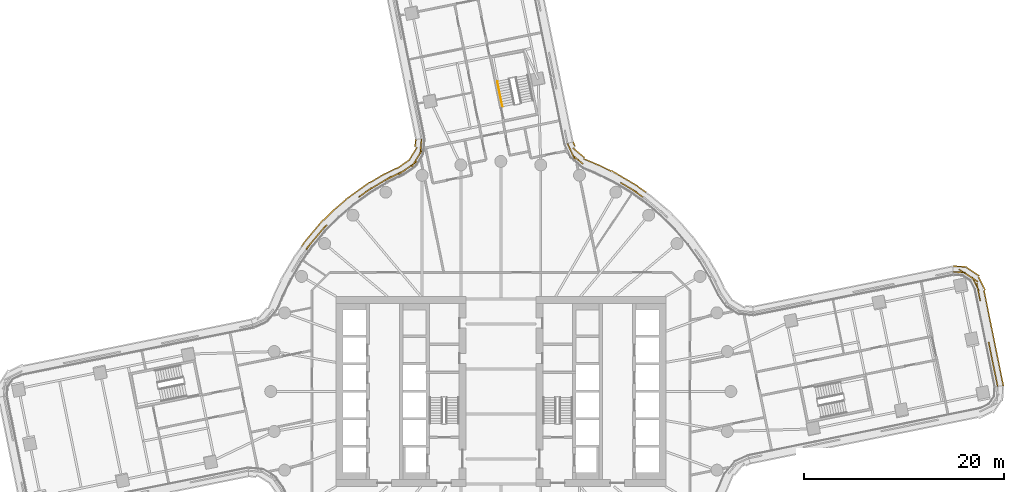
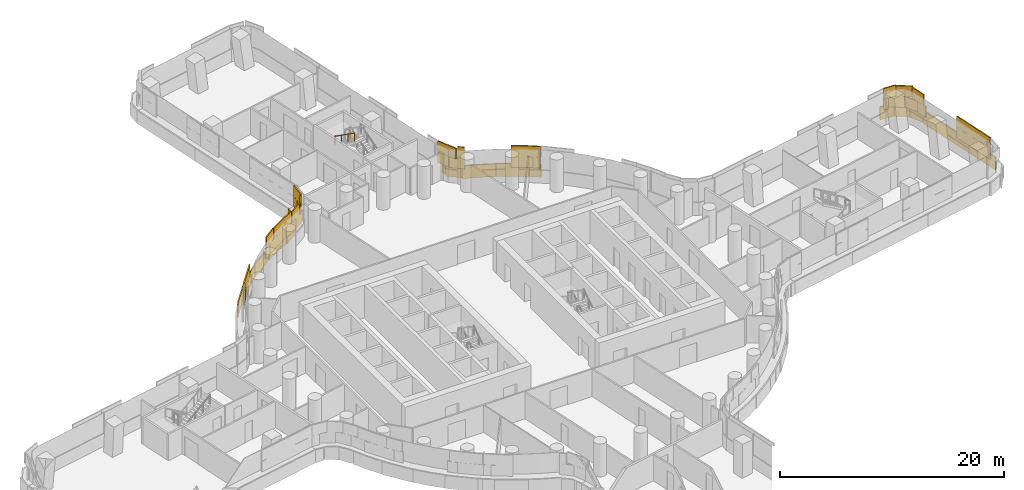
# One storey, part 29 of 31: 3 coverings, 1 railing.
"""IFC4 building model written with IfcOpenShell, lengths in metres."""

import ifcopenshell
import ifcopenshell.guid

model = None  # the IFC model being written
_history = None  # IfcOwnerHistory: only IFC2X3 demands one
_inside = {}  # id of a spatial element -> (the spatial element, [elements in it])
_under = {}  # id of a project, library or spatial element -> (it, [spatial elements below it])
_declared = {}  # id of a project -> (the project, [libraries it declares])
_typed = {}  # id of a type object -> (the type object, [elements of that type])
_made_of = {}  # id of a material, layer set ... -> (it, [elements and type objects made of it])


def new_model(schema):
    """Start an empty IFC model of exactly this schema.

    Asked for "IFC4X3", IfcOpenShell would pick the latest addendum, in which some entities
    have other attributes; the version numbers below select the first issue.
    IFC2X3 requires an IfcOwnerHistory on every rooted entity: one is made here for all.
    """
    global model, _history
    if schema == "IFC4X3":
        model = ifcopenshell.file(schema_version=(4, 3, 0, 0))
    else:
        model = ifcopenshell.file(schema=schema)
    _inside.clear()
    _under.clear()
    _declared.clear()
    _typed.clear()
    _made_of.clear()
    _history = None
    if model.schema == "IFC2X3":
        org = make("IfcOrganization", Name="unknown")
        user = make(
            "IfcPersonAndOrganization",
            ThePerson=make("IfcPerson", FamilyName="unknown"),
            TheOrganization=org,
        )
        app = make(
            "IfcApplication",
            ApplicationDeveloper=org,
            Version="unknown",
            ApplicationFullName="unknown",
            ApplicationIdentifier="unknown",
        )
        _history = make(
            "IfcOwnerHistory",
            OwningUser=user,
            OwningApplication=app,
            ChangeAction="ADDED",
            CreationDate=0,
        )
    return model


def make(cls, **values):
    """One entity of the class cls with the attributes given. An attribute that is None is left unset."""
    return model.create_entity(
        cls, **{name: value for name, value in values.items() if value is not None}
    )


def rooted(cls, **values):
    """An entity with a GlobalId (a new one), such as an element, a storey or a relation."""
    return make(cls, GlobalId=ifcopenshell.guid.new(), OwnerHistory=_history, **values)


def si_unit(unit_type, name, prefix=None):
    """IfcSIUnit, for example si_unit("LENGTHUNIT", "METRE", prefix="MILLI")."""
    return make("IfcSIUnit", UnitType=unit_type, Prefix=prefix, Name=name)


def assignment(units):
    """IfcUnitAssignment: the units of a project."""
    return None if units is None else make("IfcUnitAssignment", Units=units)


def point(xyz):
    """IfcCartesianPoint."""
    return None if xyz is None else make("IfcCartesianPoint", Coordinates=xyz)


def direction(xyz):
    """IfcDirection."""
    return None if xyz is None else make("IfcDirection", DirectionRatios=xyz)


def frame(location, z_axis=None, x_axis=None):
    """IfcAxis2Placement3D, a coordinate frame: its origin and axes. An axis left out is left unset."""
    return make(
        "IfcAxis2Placement3D",
        Location=point(location),
        Axis=direction(z_axis),
        RefDirection=direction(x_axis),
    )


def frame_2d(location, x_axis=None):
    """IfcAxis2Placement2D, a coordinate frame in the plane: its origin and x axis."""
    return make(
        "IfcAxis2Placement2D", Location=point(location), RefDirection=direction(x_axis)
    )


def origin():
    """The frame at (0, 0, 0) with its axes left unset."""
    return frame((0.0, 0.0, 0.0))


def origin_2d():
    """The frame at (0, 0) in the plane with its x axis left unset."""
    return frame_2d((0.0, 0.0))


def place(relative_to, where):
    """IfcLocalPlacement: puts the frame where relative to a parent placement (None: the world)."""
    return make(
        "IfcLocalPlacement", PlacementRelTo=relative_to, RelativePlacement=where
    )


def context(
    kind, dimensions, precision=None, world=None, true_north=None, identifier=None
):
    """IfcGeometricRepresentationContext, for example the 3D "Model" context."""
    return make(
        "IfcGeometricRepresentationContext",
        ContextIdentifier=identifier,
        ContextType=kind,
        CoordinateSpaceDimension=dimensions,
        Precision=precision,
        WorldCoordinateSystem=world,
        TrueNorth=true_north,
    )


def subcontext(parent, identifier, kind, view, scale=None):
    """IfcGeometricRepresentationSubContext, for example "Body" below "Model"."""
    return make(
        "IfcGeometricRepresentationSubContext",
        ContextIdentifier=identifier,
        ContextType=kind,
        ParentContext=parent,
        TargetScale=scale,
        TargetView=view,
    )


def project(units=None, contexts=None):
    """IfcProject with its units and contexts."""
    return rooted(
        "IfcProject",
        Name="project",
        RepresentationContexts=contexts,
        UnitsInContext=assignment(units),
    )


def spatial(cls, under=None, at=None, **own):
    """A site, building, storey or space (cls), placed at a placement, below another one or the project."""
    s = rooted(cls, ObjectPlacement=at, **own)
    if under is not None:
        _under.setdefault(under.id(), (under, []))[1].append(s)
    return s


def profile(cls, at=None, kind="AREA", **sizes):
    """A parametric profile (cls). Its sizes go by their IFC names, for example OverallWidth=200.0."""
    return make(cls, ProfileType=kind, Position=at, **sizes)


def rectangle(**sizes):
    """IfcRectangleProfileDef."""
    return profile("IfcRectangleProfileDef", **sizes)


def circle(**sizes):
    """IfcCircleProfileDef."""
    return profile("IfcCircleProfileDef", **sizes)


def extrude(swept, where, along, depth):
    """IfcExtrudedAreaSolid: the profile swept, set in the frame where, extruded along a direction by depth."""
    return make(
        "IfcExtrudedAreaSolid",
        SweptArea=swept,
        Position=where,
        ExtrudedDirection=direction(along),
        Depth=depth,
    )


def shape(context_of_items, identifier, shape_type, items):
    """IfcShapeRepresentation: the items that make up one representation, for example the "Body"."""
    return make(
        "IfcShapeRepresentation",
        ContextOfItems=context_of_items,
        RepresentationIdentifier=identifier,
        RepresentationType=shape_type,
        Items=items,
    )


def material(Name=None, Category=None):
    """IfcMaterial."""
    return make("IfcMaterial", Name=Name, Category=Category)


def layer(
    of_material, thickness, ventilated=None, Name=None, Category=None, Priority=None
):
    """IfcMaterialLayer: one layer of a wall or slab, of a material (None: an air gap)."""
    return make(
        "IfcMaterialLayer",
        Material=of_material,
        LayerThickness=thickness,
        IsVentilated=ventilated,
        Name=Name,
        Category=Category,
        Priority=Priority,
    )


def layer_set(layers, Name=None):
    """IfcMaterialLayerSet."""
    return make("IfcMaterialLayerSet", MaterialLayers=layers, LayerSetName=Name)


def made_of(thing, what):
    """Note that an element or type object is made of a material, layer set ...; save() writes the relation."""
    if what is not None:
        _made_of.setdefault(what.id(), (what, []))[1].append(thing)
    return thing


def type_object(cls, material=None, **own):
    """A type object (cls), such as IfcWallType, which elements share."""
    return made_of(rooted(cls, **own), material)


def element(
    cls,
    number,
    at=None,
    inside=None,
    cuts=None,
    type_object=None,
    material=None,
    context=None,
    identifier="Body",
    shape_type=None,
    held_by="IfcProductDefinitionShape",
    body=None,
    shapes=None,
    **own,
):
    """One element of the class cls, such as IfcWall. Its Tag is "e" and its number.

    at: its placement. inside: the storey or other place that contains it. cuts: it is an
    opening in that element (IfcRelVoidsElement). A single representation is given by context,
    identifier, shape_type and body (its items); several are given by shapes. held_by: the class
    of the entity that holds the representations. save() writes the other relations.
    """
    e = rooted(cls, Tag="e%d" % number, ObjectPlacement=at, **own)
    if body is not None:
        shapes = [shape(context, identifier, shape_type, body)]
    if shapes is not None:
        e.Representation = make(held_by, Representations=shapes)
    if inside is not None:
        _inside.setdefault(inside.id(), (inside, []))[1].append(e)
    if cuts is not None:
        rooted(
            "IfcRelVoidsElement", RelatingBuildingElement=cuts, RelatedOpeningElement=e
        )
    if type_object is not None:
        _typed.setdefault(type_object.id(), (type_object, []))[1].append(e)
    return made_of(e, material)


def aggregate(whole, parts):
    """IfcRelAggregates: a whole, such as a stair, and the parts it consists of."""
    return rooted("IfcRelAggregates", RelatingObject=whole, RelatedObjects=parts)


def save(model, path):
    """Write the relations noted so far, then the file.

    IfcRelAggregates (storeys below a building ...), IfcRelContainedInSpatialStructure (elements
    in a storey), IfcRelDefinesByType, IfcRelAssociatesMaterial and IfcRelDeclares: one each for
    every whole, place, type object, material and project.
    """
    for whole, parts in _under.values():
        aggregate(whole, parts)
    for where, things in _inside.values():
        rooted(
            "IfcRelContainedInSpatialStructure",
            RelatedElements=things,
            RelatingStructure=where,
        )
    for kind, things in _typed.values():
        rooted("IfcRelDefinesByType", RelatedObjects=things, RelatingType=kind)
    for what, things in _made_of.values():
        rooted("IfcRelAssociatesMaterial", RelatedObjects=things, RelatingMaterial=what)
    for by, libraries in _declared.values():
        rooted("IfcRelDeclares", RelatingContext=by, RelatedDefinitions=libraries)
    model.write(path)


model = new_model("IFC4")

# Units and contexts
model_context = context("Model", 3, precision=1e-05, world=origin(), true_north=direction((0.0, 1.0)))
body_context = subcontext(model_context, "Body", "Model", "MODEL_VIEW")
ifc_project = project(units=[si_unit("LENGTHUNIT", "METRE"), si_unit("AREAUNIT", "SQUARE_METRE"), si_unit("VOLUMEUNIT", "CUBIC_METRE"), si_unit("PLANEANGLEUNIT", "RADIAN"), si_unit("MASSUNIT", "GRAM", prefix="KILO")], contexts=[model_context])

# Site, building, storey
site_placement = place(None, origin())
site = spatial("IfcSite", under=ifc_project, at=site_placement, CompositionType="ELEMENT")
building_placement = place(site_placement, origin())
building = spatial("IfcBuilding", under=site, at=building_placement, Name="Tamarind Cross Interchange Tower", CompositionType="ELEMENT")
storey_placement = place(building_placement, frame((0.0, 0.0, 75.25)))
storey = spatial("IfcBuildingStorey", under=building, at=storey_placement, Name="L17", CompositionType="ELEMENT", Elevation=75.25)

# Railing
ifc_material_1 = material(Name="Stair handrail")
railing_type = type_object("IfcRailingType", Name="Stair handrail", PredefinedType="HANDRAIL", material=ifc_material_1)
railing_placement = place(storey_placement, frame((-0.352294921875, 31.010498046875, 2.04541015625)))
element("IfcRailing", 1, at=railing_placement, inside=storey, type_object=railing_type, Name="L17 ST4 stair handrail 2", PredefinedType="HANDRAIL", context=body_context, shape_type="SweptSolid", body=[
    extrude(circle(Radius=0.02392578125, at=origin_2d()), frame((0.0, 0.0, 0.8759765625), z_axis=(0.166637125559, -0.819521697612, 0.548284830656), x_axis=(0.979947229577, 0.199257188689, 0.0)), (0.0, 0.0, 1.0), 3.10888671875),
    extrude(circle(Radius=0.02099609375, at=origin_2d()), origin(), (0.0, 0.0, 1.0), 0.851806640625),
    extrude(circle(Radius=0.02099609375, at=origin_2d()), frame((0.172607421875, -0.849365234375, 0.568115234375)), (0.0, 0.0, 1.0), 0.851806640625),
    extrude(circle(Radius=0.02099609375, at=origin_2d()), frame((0.345458984375, -1.698486328125, 1.136474609375)), (0.0, 0.0, 1.0), 0.851806640625),
    extrude(circle(Radius=0.02099609375, at=origin_2d()), frame((0.51806640625, -2.5478515625, 1.70458984375)), (0.0, 0.0, 1.0), 0.851806640625),
])

# Coverings
ifc_material_2 = material(Name="Terracotta", Category="masonry")
ifc_layer = layer(ifc_material_2, 0.1201171875)
ifc_layer_set = layer_set([ifc_layer], Name="Terracotta")
covering_type = type_object("IfcCoveringType", Name="Terracotta baguette screen unit", PredefinedType="MOLDING", material=ifc_layer_set)
covering_1_placement = place(storey_placement, origin())
element("IfcCovering", 2, at=covering_1_placement, inside=storey, type_object=covering_type, Name="SCR-L17-08-00", PredefinedType="MOLDING", context=body_context, shape_type="SweptSolid", body=[
    extrude(rectangle(XDim=0.760009765625, YDim=0.1201171875, at=origin_2d()), frame((49.59619140625, 0.879150390625, 1.404052734375), z_axis=(0.0, 0.0, 1.0), x_axis=(-0.199244791873, 0.979949750197, 0.0)), (0.0, 0.0, 1.0), 1.1669921875),
    extrude(rectangle(XDim=1.52001953125, YDim=0.1201171875, at=origin_2d()), frame((49.3720703125, 1.981689453125, 1.404052734375), z_axis=(0.0, 0.0, 1.0), x_axis=(-0.199244791873, 0.979949750197, 0.0)), (0.0, 0.0, 1.0), 1.1669921875),
    extrude(rectangle(XDim=1.52001953125, YDim=0.1201171875, at=origin_2d()), frame((49.0732421875, 3.45166015625, 1.404052734375), z_axis=(0.0, 0.0, 1.0), x_axis=(-0.199244791873, 0.979949750197, 0.0)), (0.0, 0.0, 1.0), 1.1669921875),
    extrude(rectangle(XDim=0.784912109375, YDim=0.1201171875, at=origin_2d()), frame((48.846435546875, 4.566162109375, 1.404052734375), z_axis=(0.0, 0.0, 1.0), x_axis=(-0.199244791873, 0.979949750197, 0.0)), (0.0, 0.0, 1.0), 1.1669921875),
    extrude(rectangle(XDim=1.03515625, YDim=0.1201171875, at=origin_2d()), frame((47.830322265625, 9.56396484375, 1.404052734375), z_axis=(0.0, 0.0, 1.0), x_axis=(-0.199244791873, 0.979949750197, 0.0)), (0.0, 0.0, 1.0), 1.1669921875),
    extrude(rectangle(XDim=1.52001953125, YDim=0.1201171875, at=origin_2d()), frame((47.461181640625, 10.7607421875, 1.404052734375), z_axis=(0.0, 0.0, 1.0), x_axis=(-0.446085348818, 0.894990425407, 0.0)), (0.0, 0.0, 1.0), 1.1669921875),
    extrude(rectangle(XDim=1.52001953125, YDim=0.1201171875, at=origin_2d()), frame((46.441162109375, 11.792724609375, 1.404052734375), z_axis=(0.0, 0.0, 1.0), x_axis=(-0.833816457036, 0.552041770137, 0.0)), (0.0, 0.0, 1.0), 1.1669921875),
    extrude(rectangle(XDim=0.509521484375, YDim=0.1201171875, at=origin_2d()), frame((45.47265625, 11.941650390625, 1.404052734375), z_axis=(0.0, 0.0, 1.0), x_axis=(-0.998127118955, 0.061173968371, 0.0)), (0.0, 0.0, 1.0), 1.1669921875),
    extrude(rectangle(XDim=1.510009765625, YDim=0.1201171875, at=origin_2d()), frame((49.521484375, 1.24658203125, 2.5791015625), z_axis=(0.0, 0.0, 1.0), x_axis=(-0.199244791873, 0.979949750197, 0.0)), (0.0, 0.0, 1.0), 1.1669921875),
    extrude(rectangle(XDim=1.52001953125, YDim=0.1201171875, at=origin_2d()), frame((49.22265625, 2.716552734375, 2.5791015625), z_axis=(0.0, 0.0, 1.0), x_axis=(-0.199244791873, 0.979949750197, 0.0)), (0.0, 0.0, 1.0), 1.1669921875),
    extrude(rectangle(XDim=1.52001953125, YDim=0.1201171875, at=origin_2d()), frame((48.923828125, 4.1865234375, 2.5791015625), z_axis=(0.0, 0.0, 1.0), x_axis=(-0.199244791873, 0.979949750197, 0.0)), (0.0, 0.0, 1.0), 1.1669921875),
    extrude(rectangle(XDim=1.52001953125, YDim=0.1201171875, at=origin_2d()), frame((47.728271484375, 10.066162109375, 2.5791015625), z_axis=(0.0, 0.0, 1.0), x_axis=(-0.199244791873, 0.979949750197, 0.0)), (0.0, 0.0, 1.0), 1.1669921875),
    extrude(rectangle(XDim=1.52001953125, YDim=0.1201171875, at=origin_2d()), frame((47.066650390625, 11.378662109375, 2.5791015625), z_axis=(0.0, 0.0, 1.0), x_axis=(-0.833816457036, 0.552041770137, 0.0)), (0.0, 0.0, 1.0), 1.1669921875),
    extrude(rectangle(XDim=1.259521484375, YDim=0.1201171875, at=origin_2d()), frame((45.846923828125, 11.918701171875, 2.5791015625), z_axis=(0.0, 0.0, 1.0), x_axis=(-0.998127118955, 0.061173968371, 0.0)), (0.0, 0.0, 1.0), 1.1669921875),
    extrude(rectangle(XDim=0.760009765625, YDim=0.1201171875, at=origin_2d()), frame((50.1728515625, 0.92431640625, 0.00390625), z_axis=(0.0, 0.0, 1.0), x_axis=(-0.199244791873, 0.979949750197, 0.0)), (0.0, 0.0, 1.0), 1.39208984375),
    extrude(rectangle(XDim=1.52001953125, YDim=0.1201171875, at=origin_2d()), frame((49.94970703125, 2.02197265625, 0.00390625), z_axis=(0.0, 0.0, 1.0), x_axis=(-0.199244791873, 0.979949750197, 0.0)), (0.0, 0.0, 1.0), 1.39208984375),
    extrude(rectangle(XDim=1.52001953125, YDim=0.1201171875, at=origin_2d()), frame((49.650634765625, 3.491943359375, 0.00390625), z_axis=(0.0, 0.0, 1.0), x_axis=(-0.199244791873, 0.979949750197, 0.0)), (0.0, 0.0, 1.0), 1.39208984375),
    extrude(rectangle(XDim=1.52001953125, YDim=0.1201171875, at=origin_2d()), frame((49.351806640625, 4.961669921875, 0.00390625), z_axis=(0.0, 0.0, 1.0), x_axis=(-0.199244791873, 0.979949750197, 0.0)), (0.0, 0.0, 1.0), 1.39208984375),
    extrude(rectangle(XDim=1.52001953125, YDim=0.1201171875, at=origin_2d()), frame((49.052978515625, 6.431640625, 0.00390625), z_axis=(0.0, 0.0, 1.0), x_axis=(-0.199244791873, 0.979949750197, 0.0)), (0.0, 0.0, 1.0), 1.39208984375),
    extrude(rectangle(XDim=1.52001953125, YDim=0.1201171875, at=origin_2d()), frame((48.754150390625, 7.901611328125, 0.00390625), z_axis=(0.0, 0.0, 1.0), x_axis=(-0.199244791873, 0.979949750197, 0.0)), (0.0, 0.0, 1.0), 1.39208984375),
    extrude(rectangle(XDim=1.52001953125, YDim=0.1201171875, at=origin_2d()), frame((48.455322265625, 9.37158203125, 0.00390625), z_axis=(0.0, 0.0, 1.0), x_axis=(-0.199244791873, 0.979949750197, 0.0)), (0.0, 0.0, 1.0), 1.39208984375),
    extrude(rectangle(XDim=1.52001953125, YDim=0.1201171875, at=origin_2d()), frame((48.076171875, 10.81396484375, 0.00390625), z_axis=(0.0, 0.0, 1.0), x_axis=(-0.446085348818, 0.894990425407, 0.0)), (0.0, 0.0, 1.0), 1.39208984375),
    extrude(rectangle(XDim=1.52001953125, YDim=0.1201171875, at=origin_2d()), frame((47.20361328125, 11.9765625, 0.00390625), z_axis=(0.0, 0.0, 1.0), x_axis=(-0.833816457036, 0.552041770137, 0.0)), (0.0, 0.0, 1.0), 1.39208984375),
    extrude(rectangle(XDim=1.4267578125, YDim=0.1201171875, at=origin_2d()), frame((45.895263671875, 12.49072265625, 0.00390625), z_axis=(0.0, 0.0, 1.0), x_axis=(-0.998127118955, 0.061173968371, 0.0)), (0.0, 0.0, 1.0), 1.39208984375),
])
covering_2_placement = place(storey_placement, origin())
element("IfcCovering", 3, at=covering_2_placement, inside=storey, type_object=covering_type, Name="SCR-L17-10-01", PredefinedType="MOLDING", context=body_context, shape_type="SweptSolid", body=[
    extrude(rectangle(XDim=0.69775390625, YDim=0.1201171875, at=origin_2d()), frame((13.897216796875, 19.647216796875, 1.404052734375), z_axis=(0.0, 0.0, 1.0), x_axis=(-0.816341886298, 0.577568978284, 0.0)), (0.0, 0.0, 1.0), 1.1669921875),
    extrude(rectangle(XDim=1.52001953125, YDim=0.1201171875, at=origin_2d()), frame((12.99951171875, 20.27197265625, 1.404052734375), z_axis=(0.0, 0.0, 1.0), x_axis=(-0.861248933065, 0.508183308752, 0.0)), (0.0, 0.0, 1.0), 1.1669921875),
    extrude(rectangle(XDim=0.454345703125, YDim=0.1201171875, at=origin_2d()), frame((12.162353515625, 20.76611328125, 1.404052734375), z_axis=(0.0, 0.0, 1.0), x_axis=(-0.861248933065, 0.508183308752, 0.0)), (0.0, 0.0, 1.0), 1.1669921875),
    extrude(rectangle(XDim=1.36572265625, YDim=0.1201171875, at=origin_2d()), frame((7.70068359375, 23.178955078125, 1.404052734375), z_axis=(0.0, 0.0, 1.0), x_axis=(-0.766413284923, 0.642347784844, 0.0)), (0.0, 0.0, 1.0), 1.1669921875),
    extrude(rectangle(XDim=1.286376953125, YDim=0.1201171875, at=origin_2d()), frame((6.9326171875, 24.20751953125, 1.404052734375), z_axis=(0.0, 0.0, 1.0), x_axis=(-0.414428307748, 0.910081962098, 0.0)), (0.0, 0.0, 1.0), 1.1669921875),
    extrude(rectangle(XDim=1.44775390625, YDim=0.1201171875, at=origin_2d()), frame((13.591064453125, 19.864013671875, 2.5791015625), z_axis=(0.0, 0.0, 1.0), x_axis=(-0.816341886298, 0.577568978284, 0.0)), (0.0, 0.0, 1.0), 1.1669921875),
    extrude(rectangle(XDim=1.204345703125, YDim=0.1201171875, at=origin_2d()), frame((12.4853515625, 20.575439453125, 2.5791015625), z_axis=(0.0, 0.0, 1.0), x_axis=(-0.861248933065, 0.508183308752, 0.0)), (0.0, 0.0, 1.0), 1.1669921875),
    extrude(rectangle(XDim=0.61572265625, YDim=0.1201171875, at=origin_2d()), frame((7.988037109375, 22.938232421875, 2.5791015625), z_axis=(0.0, 0.0, 1.0), x_axis=(-0.766413284923, 0.642347784844, 0.0)), (0.0, 0.0, 1.0), 1.1669921875),
    extrude(rectangle(XDim=1.52001953125, YDim=0.1201171875, at=origin_2d()), frame((7.197021484375, 23.626708984375, 2.5791015625), z_axis=(0.0, 0.0, 1.0), x_axis=(-0.414428307748, 0.910081962098, 0.0)), (0.0, 0.0, 1.0), 1.1669921875),
    extrude(rectangle(XDim=0.536376953125, YDim=0.1201171875, at=origin_2d()), frame((6.77734375, 24.548583984375, 2.5791015625), z_axis=(0.0, 0.0, 1.0), x_axis=(-0.414428307748, 0.910081962098, 0.0)), (0.0, 0.0, 1.0), 1.1669921875),
    extrude(rectangle(XDim=1.097900390625, YDim=0.1201171875, at=origin_2d()), frame((14.06787109375, 20.229736328125, 0.00390625), z_axis=(0.0, 0.0, 1.0), x_axis=(-0.816341886298, 0.577568978284, 0.0)), (0.0, 0.0, 1.0), 1.39208984375),
    extrude(rectangle(XDim=1.52001953125, YDim=0.1201171875, at=origin_2d()), frame((12.994384765625, 20.941650390625, 0.00390625), z_axis=(0.0, 0.0, 1.0), x_axis=(-0.861248933065, 0.508183308752, 0.0)), (0.0, 0.0, 1.0), 1.39208984375),
    extrude(rectangle(XDim=1.52001953125, YDim=0.1201171875, at=origin_2d()), frame((11.70263671875, 21.703857421875, 0.00390625), z_axis=(0.0, 0.0, 1.0), x_axis=(-0.861248933065, 0.508183308752, 0.0)), (0.0, 0.0, 1.0), 1.39208984375),
    extrude(rectangle(XDim=1.52001953125, YDim=0.1201171875, at=origin_2d()), frame((10.354736328125, 22.36181640625, 0.00390625), z_axis=(0.0, 0.0, 1.0), x_axis=(-0.900272776334, 0.435326231914, 0.0)), (0.0, 0.0, 1.0), 1.39208984375),
    extrude(rectangle(XDim=1.52001953125, YDim=0.1201171875, at=origin_2d()), frame((8.984375, 22.969970703125, 0.00390625), z_axis=(0.0, 0.0, 1.0), x_axis=(-0.922626732478, 0.385694065961, 0.0)), (0.0, 0.0, 1.0), 1.39208984375),
    extrude(rectangle(XDim=1.52001953125, YDim=0.1201171875, at=origin_2d()), frame((7.787109375, 23.85546875, 0.00390625), z_axis=(0.0, 0.0, 1.0), x_axis=(-0.766413284923, 0.642347784844, 0.0)), (0.0, 0.0, 1.0), 1.39208984375),
    extrude(rectangle(XDim=0.520263671875, YDim=0.1201171875, at=origin_2d()), frame((7.325439453125, 24.729736328125, 0.00390625), z_axis=(0.0, 0.0, 1.0), x_axis=(-0.414428307748, 0.910081962098, 0.0)), (0.0, 0.0, 1.0), 1.39208984375),
])
covering_3_placement = place(storey_placement, origin())
element("IfcCovering", 4, at=covering_3_placement, inside=storey, type_object=covering_type, Name="SCR-L17-14-00", PredefinedType="MOLDING", context=body_context, shape_type="SweptSolid", body=[
    extrude(rectangle(XDim=0.760009765625, YDim=0.1201171875, at=origin_2d()), frame((-7.954833984375, 24.86474609375, 1.404052734375), z_axis=(0.0, 0.0, 1.0), x_axis=(-0.094653247542, -0.995510302674, 0.0)), (0.0, 0.0, 1.0), 1.1669921875),
    extrude(rectangle(XDim=1.52001953125, YDim=0.1201171875, at=origin_2d()), frame((-8.1015625, 23.75830078125, 1.404052734375), z_axis=(0.0, 0.0, 1.0), x_axis=(-0.525577525371, -0.850745711024, 0.0)), (0.0, 0.0, 1.0), 1.1669921875),
    extrude(rectangle(XDim=1.52001953125, YDim=0.1201171875, at=origin_2d()), frame((-8.980224609375, 22.567626953125, 1.404052734375), z_axis=(0.0, 0.0, 1.0), x_axis=(-0.820605067188, -0.571495690015, 0.0)), (0.0, 0.0, 1.0), 1.1669921875),
    extrude(rectangle(XDim=1.52001953125, YDim=0.1201171875, at=origin_2d()), frame((-10.2509765625, 21.77783203125, 1.404052734375), z_axis=(0.0, 0.0, 1.0), x_axis=(-0.896492548518, -0.443058811505, 0.0)), (0.0, 0.0, 1.0), 1.1669921875),
    extrude(rectangle(XDim=1.52001953125, YDim=0.1201171875, at=origin_2d()), frame((-11.59375, 21.10986328125, 1.404052734375), z_axis=(0.0, 0.0, 1.0), x_axis=(-0.856843065292, -0.515577308909, 0.0)), (0.0, 0.0, 1.0), 1.1669921875),
    extrude(rectangle(XDim=1.52001953125, YDim=0.1201171875, at=origin_2d()), frame((-12.879150390625, 20.336669921875, 1.404052734375), z_axis=(0.0, 0.0, 1.0), x_axis=(-0.856843065292, -0.515577308909, 0.0)), (0.0, 0.0, 1.0), 1.1669921875),
    extrude(rectangle(XDim=0.885498046875, YDim=0.1201171875, at=origin_2d()), frame((-13.863037109375, 19.6728515625, 1.404052734375), z_axis=(0.0, 0.0, 1.0), x_axis=(-0.811340475102, -0.584573890505, 0.0)), (0.0, 0.0, 1.0), 1.1669921875),
    extrude(rectangle(XDim=0.934326171875, YDim=0.1201171875, at=origin_2d()), frame((-17.69970703125, 16.32861328125, 1.404052734375), z_axis=(0.0, 0.0, 1.0), x_axis=(-0.704057148523, -0.710143317658, 0.0)), (0.0, 0.0, 1.0), 1.1669921875),
    extrude(rectangle(XDim=1.52001953125, YDim=0.1201171875, at=origin_2d()), frame((-18.487060546875, 15.4072265625, 1.404052734375), z_axis=(0.0, 0.0, 1.0), x_axis=(-0.643009266048, -0.765858396687, 0.0)), (0.0, 0.0, 1.0), 1.1669921875),
    extrude(rectangle(XDim=0.822265625, YDim=0.1201171875, at=origin_2d()), frame((-19.214111328125, 14.50927734375, 1.404052734375), z_axis=(0.0, 0.0, 1.0), x_axis=(-0.577568978284, -0.816341886298, 0.0)), (0.0, 0.0, 1.0), 1.1669921875),
    extrude(rectangle(XDim=1.510009765625, YDim=0.1201171875, at=origin_2d()), frame((-7.990234375, 24.491455078125, 2.5791015625), z_axis=(0.0, 0.0, 1.0), x_axis=(-0.094653247542, -0.995510302674, 0.0)), (0.0, 0.0, 1.0), 1.1669921875),
    extrude(rectangle(XDim=1.52001953125, YDim=0.1201171875, at=origin_2d()), frame((-8.495849609375, 23.120361328125, 2.5791015625), z_axis=(0.0, 0.0, 1.0), x_axis=(-0.525577525371, -0.850745711024, 0.0)), (0.0, 0.0, 1.0), 1.1669921875),
    extrude(rectangle(XDim=1.52001953125, YDim=0.1201171875, at=origin_2d()), frame((-9.595458984375, 22.138916015625, 2.5791015625), z_axis=(0.0, 0.0, 1.0), x_axis=(-0.820605067188, -0.571495690015, 0.0)), (0.0, 0.0, 1.0), 1.1669921875),
    extrude(rectangle(XDim=1.52001953125, YDim=0.1201171875, at=origin_2d()), frame((-10.92333984375, 21.445556640625, 2.5791015625), z_axis=(0.0, 0.0, 1.0), x_axis=(-0.896492548518, -0.443058811505, 0.0)), (0.0, 0.0, 1.0), 1.1669921875),
    extrude(rectangle(XDim=1.52001953125, YDim=0.1201171875, at=origin_2d()), frame((-12.236572265625, 20.723388671875, 2.5791015625), z_axis=(0.0, 0.0, 1.0), x_axis=(-0.856843065292, -0.515577308909, 0.0)), (0.0, 0.0, 1.0), 1.1669921875),
    extrude(rectangle(XDim=1.52001953125, YDim=0.1201171875, at=origin_2d()), frame((-13.5078125, 19.928955078125, 2.5791015625), z_axis=(0.0, 0.0, 1.0), x_axis=(-0.811340475102, -0.584573890505, 0.0)), (0.0, 0.0, 1.0), 1.1669921875),
    extrude(rectangle(XDim=1.52001953125, YDim=0.1201171875, at=origin_2d()), frame((-18.004638671875, 15.981689453125, 2.5791015625), z_axis=(0.0, 0.0, 1.0), x_axis=(-0.643009266048, -0.765858396687, 0.0)), (0.0, 0.0, 1.0), 1.1669921875),
    extrude(rectangle(XDim=1.52001953125, YDim=0.1201171875, at=origin_2d()), frame((-18.96923828125, 14.8330078125, 2.5791015625), z_axis=(0.0, 0.0, 1.0), x_axis=(-0.643009266048, -0.765858396687, 0.0)), (0.0, 0.0, 1.0), 1.1669921875),
    extrude(rectangle(XDim=0.072265625, YDim=0.1201171875, at=origin_2d()), frame((-19.4306640625, 14.203125, 2.5791015625), z_axis=(0.0, 0.0, 1.0), x_axis=(-0.577568978284, -0.816341886298, 0.0)), (0.0, 0.0, 1.0), 1.1669921875),
    extrude(rectangle(XDim=0.760009765625, YDim=0.1201171875, at=origin_2d()), frame((-8.534912109375, 24.829345703125, 0.00390625), z_axis=(0.0, 0.0, 1.0), x_axis=(-0.094653247542, -0.995510302674, 0.0)), (0.0, 0.0, 1.0), 1.39208984375),
    extrude(rectangle(XDim=1.52001953125, YDim=0.1201171875, at=origin_2d()), frame((-8.775390625, 23.759765625, 0.00390625), z_axis=(0.0, 0.0, 1.0), x_axis=(-0.525577525371, -0.850745711024, 0.0)), (0.0, 0.0, 1.0), 1.39208984375),
    extrude(rectangle(XDim=1.52001953125, YDim=0.1201171875, at=origin_2d()), frame((-9.793212890625, 22.70068359375, 0.00390625), z_axis=(0.0, 0.0, 1.0), x_axis=(-0.820605067188, -0.571495690015, 0.0)), (0.0, 0.0, 1.0), 1.39208984375),
    extrude(rectangle(XDim=1.52001953125, YDim=0.1201171875, at=origin_2d()), frame((-11.112060546875, 21.992431640625, 0.00390625), z_axis=(0.0, 0.0, 1.0), x_axis=(-0.896492548518, -0.443058811505, 0.0)), (0.0, 0.0, 1.0), 1.39208984375),
    extrude(rectangle(XDim=1.52001953125, YDim=0.1201171875, at=origin_2d()), frame((-12.42919921875, 21.27734375, 0.00390625), z_axis=(0.0, 0.0, 1.0), x_axis=(-0.856843065292, -0.515577308909, 0.0)), (0.0, 0.0, 1.0), 1.39208984375),
    extrude(rectangle(XDim=1.52001953125, YDim=0.1201171875, at=origin_2d()), frame((-13.70703125, 20.49267578125, 0.00390625), z_axis=(0.0, 0.0, 1.0), x_axis=(-0.811340475102, -0.584573890505, 0.0)), (0.0, 0.0, 1.0), 1.39208984375),
    extrude(rectangle(XDim=1.52001953125, YDim=0.1201171875, at=origin_2d()), frame((-14.924072265625, 19.615966796875, 0.00390625), z_axis=(0.0, 0.0, 1.0), x_axis=(-0.811340475102, -0.584573890505, 0.0)), (0.0, 0.0, 1.0), 1.39208984375),
    extrude(rectangle(XDim=1.52001953125, YDim=0.1201171875, at=origin_2d()), frame((-16.083984375, 18.666015625, 0.00390625), z_axis=(0.0, 0.0, 1.0), x_axis=(-0.760295606781, -0.64957723968, 0.0)), (0.0, 0.0, 1.0), 1.39208984375),
    extrude(rectangle(XDim=1.52001953125, YDim=0.1201171875, at=origin_2d()), frame((-17.19140625, 17.65625, 0.00390625), z_axis=(0.0, 0.0, 1.0), x_axis=(-0.704057148523, -0.710143317658, 0.0)), (0.0, 0.0, 1.0), 1.39208984375),
    extrude(rectangle(XDim=1.52001953125, YDim=0.1201171875, at=origin_2d()), frame((-18.24462890625, 16.588623046875, 0.00390625), z_axis=(0.0, 0.0, 1.0), x_axis=(-0.643009266048, -0.765858396687, 0.0)), (0.0, 0.0, 1.0), 1.39208984375),
    extrude(rectangle(XDim=1.52001953125, YDim=0.1201171875, at=origin_2d()), frame((-19.209228515625, 15.439697265625, 0.00390625), z_axis=(0.0, 0.0, 1.0), x_axis=(-0.643009266048, -0.765858396687, 0.0)), (0.0, 0.0, 1.0), 1.39208984375),
    extrude(rectangle(XDim=0.422119140625, YDim=0.1201171875, at=origin_2d()), frame((-19.790771484375, 14.688232421875, 0.00390625), z_axis=(0.0, 0.0, 1.0), x_axis=(-0.577568978284, -0.816341886298, 0.0)), (0.0, 0.0, 1.0), 1.39208984375),
])

save(model, "model.ifc")
